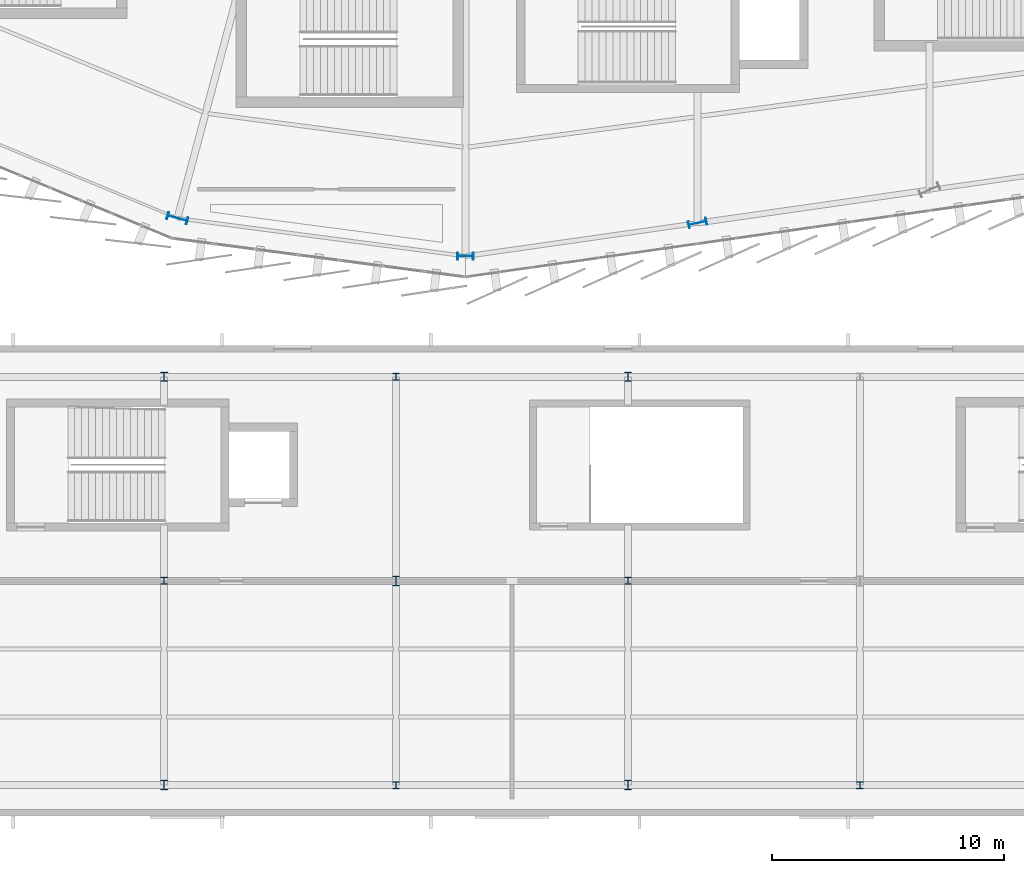
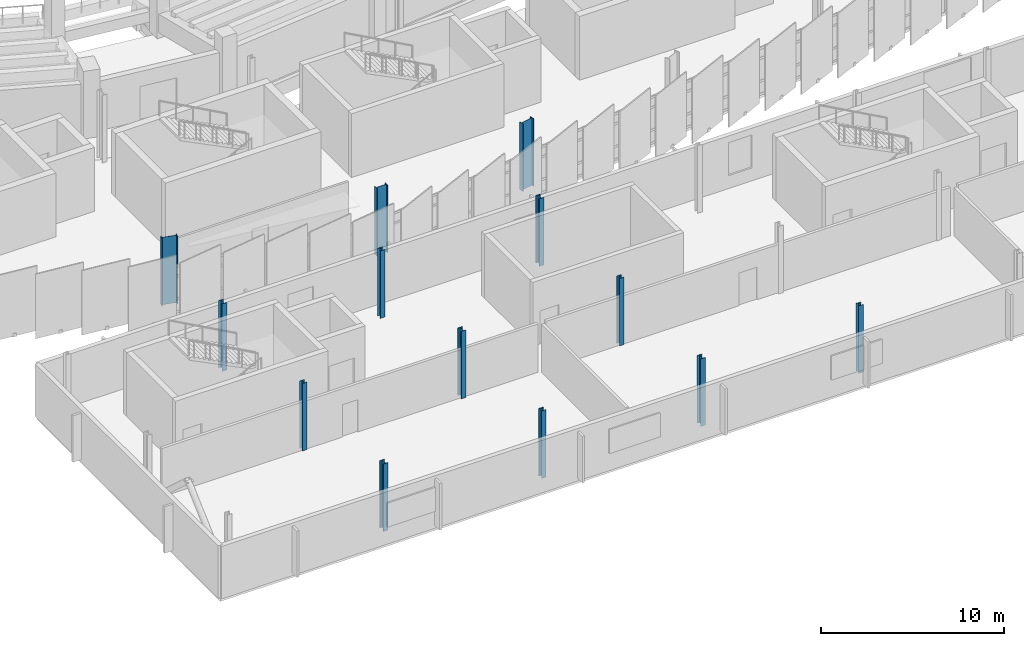
# One storey, part 5 of 120: 13 columns.
"""IFC4 building model written with IfcOpenShell, lengths in metres."""

from ifc_helpers import new_model, si_unit, direction, frame, origin, origin_2d, place, context, subcontext, project, spatial, i_section, extrude, material, material_profile, profile_set, type_object, element, save


model = new_model("IFC4")

# Units and contexts
model_context = context("Model", 3, precision=1e-05, world=origin(), true_north=direction((0.0, 1.0)))
body_context = subcontext(model_context, "Body", "Model", "MODEL_VIEW")
ifc_project = project(units=[si_unit("LENGTHUNIT", "METRE"), si_unit("AREAUNIT", "SQUARE_METRE"), si_unit("VOLUMEUNIT", "CUBIC_METRE"), si_unit("PLANEANGLEUNIT", "RADIAN"), si_unit("MASSUNIT", "GRAM", prefix="KILO")], contexts=[model_context])

# Site, building, storey
site_placement = place(None, origin())
site = spatial("IfcSite", under=ifc_project, at=site_placement, CompositionType="ELEMENT")
building_placement = place(site_placement, origin())
building = spatial("IfcBuilding", under=site, at=building_placement, Name="Sohan Crest Arena", CompositionType="ELEMENT")
storey_placement = place(building_placement, frame((0.0, 0.0, 13.5)))
storey = spatial("IfcBuildingStorey", under=building, at=storey_placement, Name="L03", CompositionType="ELEMENT", Elevation=13.5)

# Columns
ifc_material = material(Name="Steel S355", Category="steel")
ifc_material_profile_1 = material_profile(ifc_material, i_section(OverallWidth=0.300048828125, OverallDepth=0.300048828125, WebThickness=0.010986328125, FlangeThickness=0.01904296875, at=origin_2d()), Name="HEB 300")
ifc_profile_set_1 = profile_set([ifc_material_profile_1], Name="Steel S355")
column_type_1 = type_object("IfcColumnType", Name="STR-COL-C17", PredefinedType="COLUMN", material=ifc_profile_set_1)
for number, where, z_axis, x_axis, name in (
    (1, (85.0, 16.0, 0.0), (0.0, 0.0, 1.0), (1.0, 0.0, 0.0), "Structural column COL-V5C-02-2-L03"),
    (2, (95.0, 7.199951171875, 0.0), (0.0, 0.0, 1.0), (1.0, 0.0, 0.0), "Structural column COL-V5C-03-1-L03"),
    (3, (95.0, 24.800048828125, 0.0), (0.0, 0.0, 1.0), (1.0, 0.0, 0.0), "Structural column COL-V5C-03-3-L03"),
    (4, (105.0, 16.0, 0.0), (0.0, 0.0, 1.0), (1.0, 0.0, 0.0), "Structural column COL-V5C-04-2-L03"),
    (5, (115.0, 7.199951171875, 0.0), (0.0, 0.0, 1.0), (1.0, 0.0, 0.0), "Structural column COL-V5C-05-1-L03"),
):
    element("IfcColumn", number, at=place(storey_placement, frame(where, z_axis=z_axis, x_axis=x_axis)), inside=storey, type_object=column_type_1, Name=name, PredefinedType="COLUMN", context=body_context, shape_type="SweptSolid", body=[
        extrude(i_section(OverallWidth=0.300048828125, OverallDepth=0.300048828125, WebThickness=0.010986328125, FlangeThickness=0.01904296875, at=origin_2d()), origin(), (0.0, 0.0, 1.0), 4.5),
    ])
ifc_material_profile_2 = material_profile(ifc_material, i_section(OverallWidth=0.300048828125, OverallDepth=0.39990234375, WebThickness=0.013427734375, FlangeThickness=0.02392578125, at=origin_2d()), Name="HEB 400")
ifc_profile_set_2 = profile_set([ifc_material_profile_2], Name="Steel S355")
column_type_2 = type_object("IfcColumnType", Name="STR-COL-C18", PredefinedType="COLUMN", material=ifc_profile_set_2)
for number, where, z_axis, x_axis, name in (
    (6, (85.0, 7.199951171875, 0.0), (0.0, 0.0, 1.0), (1.0, 0.0, 0.0), "Structural column COL-V5C-02-1-L03"),
    (7, (85.0, 24.800048828125, 0.0), (0.0, 0.0, 1.0), (1.0, 0.0, 0.0), "Structural column COL-V5C-02-3-L03"),
    (8, (95.0, 16.0, 0.0), (0.0, 0.0, 1.0), (1.0, 0.0, 0.0), "Structural column COL-V5C-03-2-L03"),
    (9, (105.0, 7.199951171875, 0.0), (0.0, 0.0, 1.0), (1.0, 0.0, 0.0), "Structural column COL-V5C-04-1-L03"),
    (10, (105.0, 24.800048828125, 0.0), (0.0, 0.0, 1.0), (1.0, 0.0, 0.0), "Structural column COL-V5C-04-3-L03"),
):
    element("IfcColumn", number, at=place(storey_placement, frame(where, z_axis=z_axis, x_axis=x_axis)), inside=storey, type_object=column_type_2, Name=name, PredefinedType="COLUMN", context=body_context, shape_type="SweptSolid", body=[
        extrude(i_section(OverallWidth=0.300048828125, OverallDepth=0.39990234375, WebThickness=0.013427734375, FlangeThickness=0.02392578125, at=origin_2d()), origin(), (0.0, 0.0, 1.0), 4.5),
    ])
ifc_material_profile_3 = material_profile(ifc_material, i_section(OverallWidth=0.300048828125, OverallDepth=0.699951171875, WebThickness=0.01708984375, FlangeThickness=0.031982421875, at=origin_2d()), Name="HEB 700")
ifc_profile_set_3 = profile_set([ifc_material_profile_3], Name="Steel S355")
column_type_3 = type_object("IfcColumnType", Name="STR-COL-C21", PredefinedType="COLUMN", material=ifc_profile_set_3)
column_1_placement = place(storey_placement, frame((98.0, 30.0, 0.0), z_axis=(0.0, 0.0, 1.0), x_axis=(0.0, 1.0, 0.0)))
element("IfcColumn", 11, at=column_1_placement, inside=storey, type_object=column_type_3, Name="Structural column COL-V2O-13-L03", PredefinedType="COLUMN", context=body_context, shape_type="SweptSolid", body=[
    extrude(i_section(OverallWidth=0.300048828125, OverallDepth=0.699951171875, WebThickness=0.01708984375, FlangeThickness=0.031982421875, at=origin_2d()), origin(), (0.0, 0.0, 1.0), 4.5),
])
ifc_material_profile_4 = material_profile(ifc_material, i_section(OverallWidth=0.300048828125, OverallDepth=0.800048828125, WebThickness=0.017578125, FlangeThickness=0.032958984375, at=origin_2d()), Name="HEB 800")
ifc_profile_set_4 = profile_set([ifc_material_profile_4], Name="Steel S355")
column_type_4 = type_object("IfcColumnType", Name="STR-COL-C22", PredefinedType="COLUMN", material=ifc_profile_set_4)
column_2_placement = place(storey_placement, frame((108.0, 31.428955078125, 0.0), z_axis=(0.0, 0.0, 1.0), x_axis=(-0.209618562904, 0.977783236759, 0.0)))
element("IfcColumn", 12, at=column_2_placement, inside=storey, type_object=column_type_4, Name="Structural column COL-V2O-14-L03", PredefinedType="COLUMN", context=body_context, shape_type="SweptSolid", body=[
    extrude(i_section(OverallWidth=0.300048828125, OverallDepth=0.800048828125, WebThickness=0.017578125, FlangeThickness=0.032958984375, at=origin_2d()), origin(), (0.0, 0.0, 1.0), 4.5),
])
ifc_material_profile_5 = material_profile(ifc_material, i_section(OverallWidth=0.300048828125, OverallDepth=0.89990234375, WebThickness=0.0185546875, FlangeThickness=0.034912109375, at=origin_2d()), Name="HEB 900")
ifc_profile_set_5 = profile_set([ifc_material_profile_5], Name="Steel S355")
column_type_5 = type_object("IfcColumnType", Name="STR-COL-C23", PredefinedType="COLUMN", material=ifc_profile_set_5)
column_3_placement = place(storey_placement, frame((85.576904296875, 31.635986328125, 0.0), z_axis=(0.0, 0.0, 1.0), x_axis=(0.258819045103, 0.965925826289, 0.0)))
element("IfcColumn", 13, at=column_3_placement, inside=storey, type_object=column_type_5, Name="Structural column COL-V2O-12-L03", PredefinedType="COLUMN", context=body_context, shape_type="SweptSolid", body=[
    extrude(i_section(OverallWidth=0.300048828125, OverallDepth=0.89990234375, WebThickness=0.0185546875, FlangeThickness=0.034912109375, at=origin_2d()), origin(), (0.0, 0.0, 1.0), 4.5),
])

save(model, "model.ifc")
